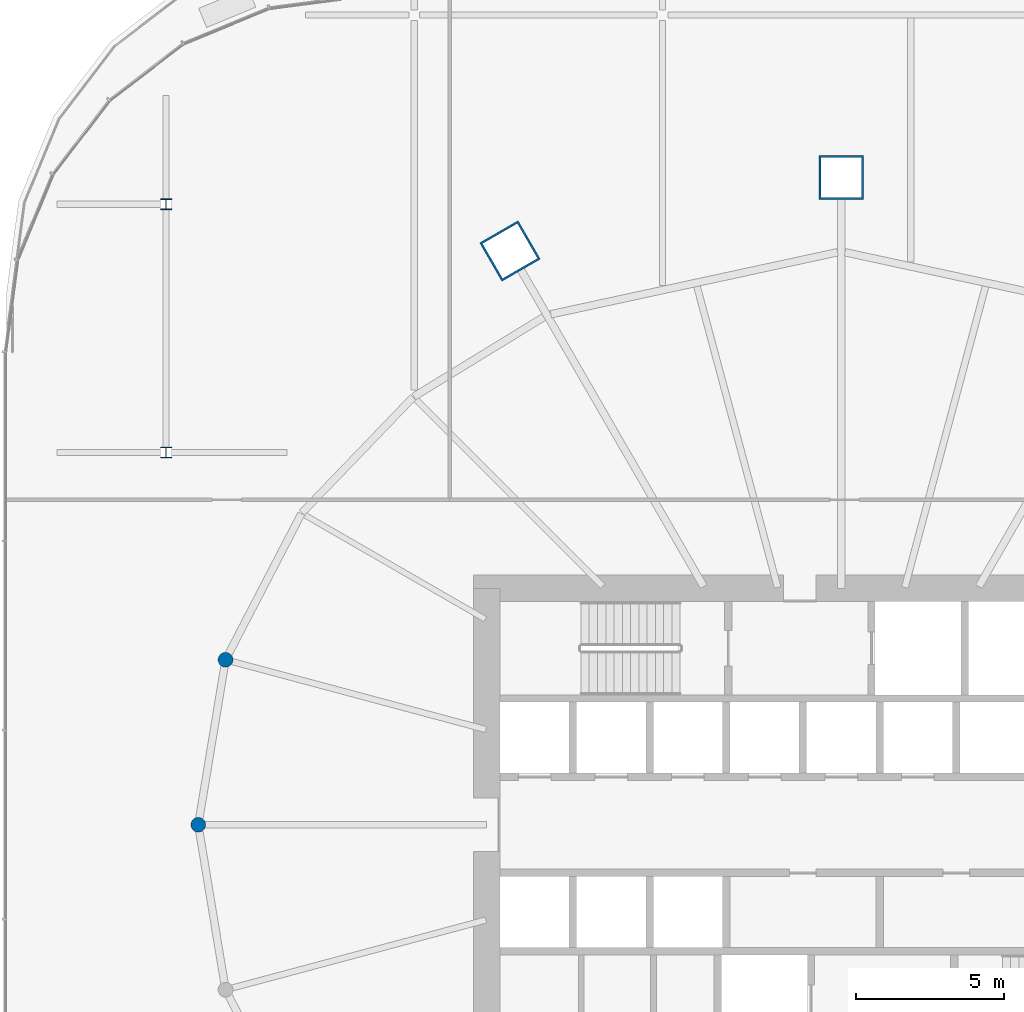
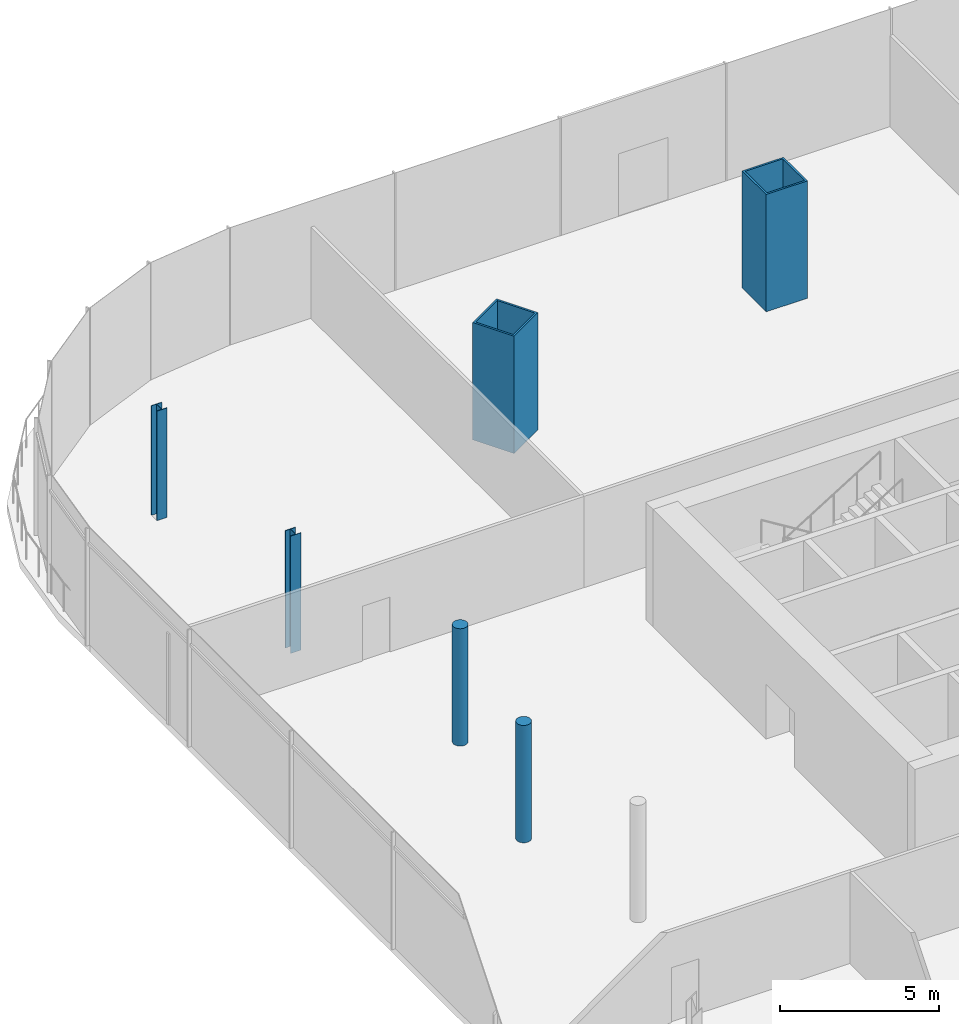
# One storey, part 3 of 52: 6 columns.
"""IFC4 building model written with IfcOpenShell, lengths in metres."""

from ifc_helpers import new_model, si_unit, direction, frame, origin, origin_2d, place, context, subcontext, project, spatial, hollow_rectangle, circle, i_section, extrude, material, material_profile, profile_set, type_object, element, save


model = new_model("IFC4")

# Units and contexts
model_context = context("Model", 3, precision=1e-05, world=origin(), true_north=direction((0.0, 1.0)))
body_context = subcontext(model_context, "Body", "Model", "MODEL_VIEW")
ifc_project = project(units=[si_unit("LENGTHUNIT", "METRE"), si_unit("AREAUNIT", "SQUARE_METRE"), si_unit("VOLUMEUNIT", "CUBIC_METRE"), si_unit("PLANEANGLEUNIT", "RADIAN"), si_unit("MASSUNIT", "GRAM", prefix="KILO")], contexts=[model_context])

# Site, building, storey
site_placement = place(None, origin())
site = spatial("IfcSite", under=ifc_project, at=site_placement, CompositionType="ELEMENT")
building_placement = place(site_placement, origin())
building = spatial("IfcBuilding", under=site, at=building_placement, Name="Rimbun Link Towers", CompositionType="ELEMENT")
storey_placement = place(building_placement, frame((0.0, 0.0, 21.0)))
storey = spatial("IfcBuildingStorey", under=building, at=storey_placement, Name="L04", CompositionType="ELEMENT", Elevation=21.0)

# Columns
ifc_material_1 = material(Name="Steel S460N", Category="steel")
ifc_material_profile_1 = material_profile(ifc_material_1, hollow_rectangle(XDim=1.5, YDim=1.5, WallThickness=0.070068359375, at=origin_2d()), Name="BOX 1500x1500x70")
ifc_profile_set_1 = profile_set([ifc_material_profile_1], Name="Steel S460N")
column_type_1 = type_object("IfcColumnType", Name="BOX 1500x1500x70", PredefinedType="COLUMN", material=ifc_profile_set_1)
for number, where, z_axis, x_axis, name in (
    (1, (-31.75, 21.904296875, 0.0), (0.0, 0.0, 1.0), (0.0, 1.0, 0.0), "Mega column T1 L04 06"),
    (2, (-42.961181640625, 19.418212890625, 0.0), (0.0, 0.0, 1.0), (-0.5, 0.866025403784, 0.0), "Mega column T1 L04 08"),
):
    element("IfcColumn", number, at=place(storey_placement, frame(where, z_axis=z_axis, x_axis=x_axis)), inside=storey, type_object=column_type_1, Name=name, PredefinedType="COLUMN", context=body_context, shape_type="SweptSolid", body=[
        extrude(hollow_rectangle(XDim=1.5, YDim=1.5, WallThickness=0.070068359375, at=origin_2d()), origin(), (0.0, 0.0, 1.0), 4.5),
    ])
ifc_material_2 = material(Name="Concrete C80/95", Category="concrete")
ifc_material_profile_2 = material_profile(ifc_material_2, circle(Radius=0.25, at=origin_2d()), Name="RC D500")
ifc_profile_set_2 = profile_set([ifc_material_profile_2], Name="Concrete C80/95")
column_type_2 = type_object("IfcColumnType", Name="RC D500", PredefinedType="COLUMN", material=ifc_profile_set_2)
for number, where, z_axis, x_axis, name in (
    (3, (-52.58642578125, 5.5830078125, 0.0), (0.0, 0.0, 1.0), (1.0, 0.0, 0.0), "Recess post T1 L04 11"),
    (4, (-53.50927734375, 0.0, 0.0), (0.0, 0.0, 1.0), (1.0, 0.0, 0.0), "Recess post T1 L04 12"),
):
    element("IfcColumn", number, at=place(storey_placement, frame(where, z_axis=z_axis, x_axis=x_axis)), inside=storey, type_object=column_type_2, Name=name, PredefinedType="COLUMN", context=body_context, shape_type="SweptSolid", body=[
        extrude(circle(Radius=0.25, at=origin_2d()), origin(), (0.0, 0.0, 1.0), 4.5),
    ])
ifc_material_3 = material(Name="Steel S355J2", Category="steel")
ifc_material_profile_3 = material_profile(ifc_material_3, i_section(OverallWidth=0.37060546875, OverallDepth=0.362060546875, WebThickness=0.01220703125, FlangeThickness=0.020751953125, at=origin_2d()), Name="UC 356x368x153")
ifc_profile_set_3 = profile_set([ifc_material_profile_3], Name="Steel S355J2")
column_type_3 = type_object("IfcColumnType", Name="UC 356x368x153", PredefinedType="COLUMN", material=ifc_profile_set_3)
column_1_placement = place(storey_placement, frame((-54.60009765625, 12.60009765625, 0.0), z_axis=(0.0, 0.0, 1.0), x_axis=(1.0, 0.0, 0.0)))
element("IfcColumn", 5, at=column_1_placement, inside=storey, type_object=column_type_3, Name="Column L04 -54.6 +12.6", PredefinedType="COLUMN", context=body_context, shape_type="SweptSolid", body=[
    extrude(i_section(OverallWidth=0.37060546875, OverallDepth=0.362060546875, WebThickness=0.01220703125, FlangeThickness=0.020751953125, at=origin_2d()), origin(), (0.0, 0.0, 1.0), 4.5),
])
column_2_placement = place(storey_placement, frame((-54.60009765625, 21.0, 0.0), z_axis=(0.0, 0.0, 1.0), x_axis=(1.0, 0.0, 0.0)))
element("IfcColumn", 6, at=column_2_placement, inside=storey, type_object=column_type_3, Name="Column L04 -54.6 +21.0", PredefinedType="COLUMN", context=body_context, shape_type="SweptSolid", body=[
    extrude(i_section(OverallWidth=0.37060546875, OverallDepth=0.362060546875, WebThickness=0.01220703125, FlangeThickness=0.020751953125, at=origin_2d()), origin(), (0.0, 0.0, 1.0), 4.199951171875),
])

save(model, "model.ifc")
